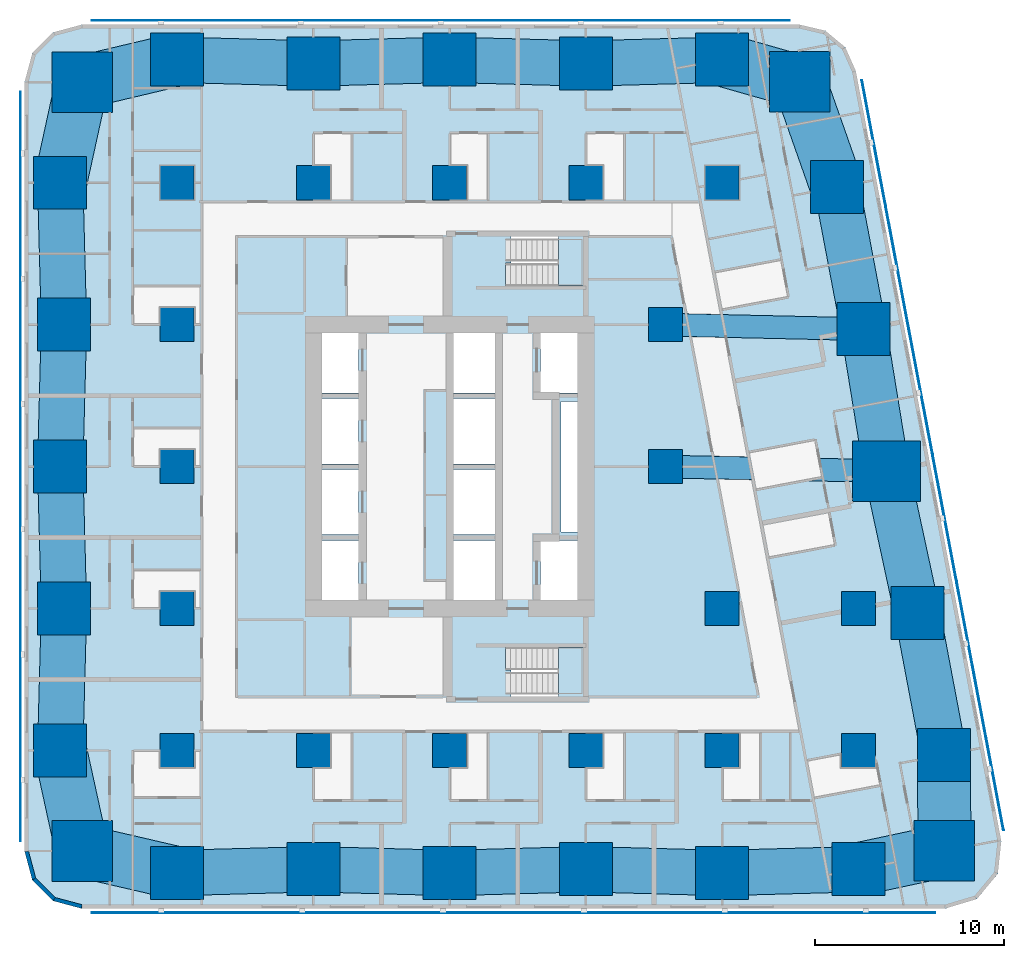
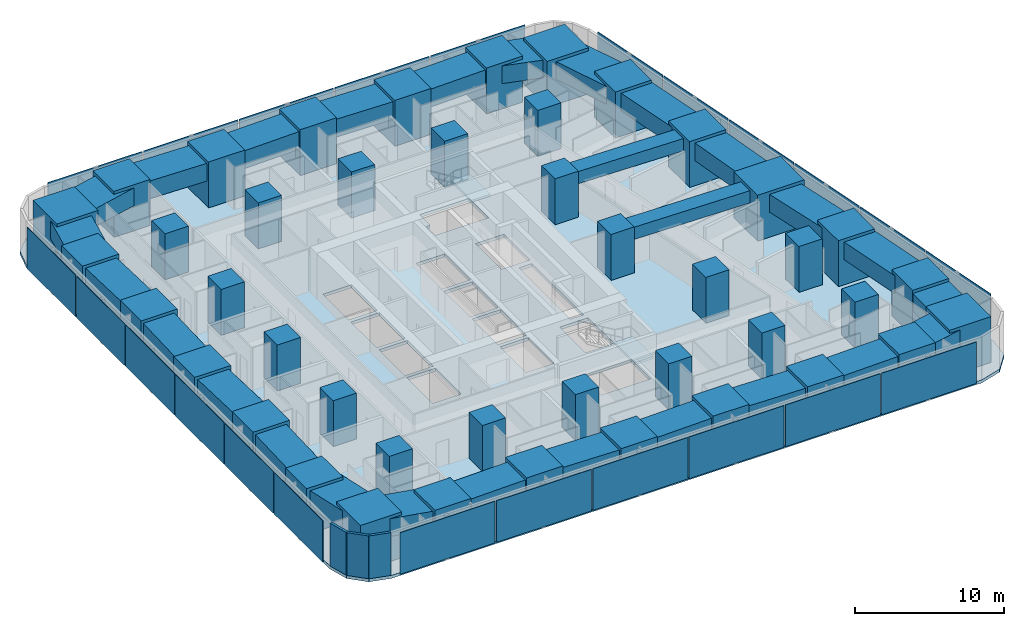
# One storey, part 1 of 15: 43 columns, 27 beams, 23 plates, 3 slabs, 3 walls, 2 elements without a shape of their own.
"""IFC4 building model written with IfcOpenShell, lengths in metres."""

import ifcopenshell
import ifcopenshell.guid

model = None  # the IFC model being written
_history = None  # IfcOwnerHistory: only IFC2X3 demands one
_inside = {}  # id of a spatial element -> (the spatial element, [elements in it])
_under = {}  # id of a project, library or spatial element -> (it, [spatial elements below it])
_declared = {}  # id of a project -> (the project, [libraries it declares])
_typed = {}  # id of a type object -> (the type object, [elements of that type])
_made_of = {}  # id of a material, layer set ... -> (it, [elements and type objects made of it])


def new_model(schema):
    """Start an empty IFC model of exactly this schema.

    Asked for "IFC4X3", IfcOpenShell would pick the latest addendum, in which some entities
    have other attributes; the version numbers below select the first issue.
    IFC2X3 requires an IfcOwnerHistory on every rooted entity: one is made here for all.
    """
    global model, _history
    if schema == "IFC4X3":
        model = ifcopenshell.file(schema_version=(4, 3, 0, 0))
    else:
        model = ifcopenshell.file(schema=schema)
    _inside.clear()
    _under.clear()
    _declared.clear()
    _typed.clear()
    _made_of.clear()
    _history = None
    if model.schema == "IFC2X3":
        org = make("IfcOrganization", Name="unknown")
        user = make(
            "IfcPersonAndOrganization",
            ThePerson=make("IfcPerson", FamilyName="unknown"),
            TheOrganization=org,
        )
        app = make(
            "IfcApplication",
            ApplicationDeveloper=org,
            Version="unknown",
            ApplicationFullName="unknown",
            ApplicationIdentifier="unknown",
        )
        _history = make(
            "IfcOwnerHistory",
            OwningUser=user,
            OwningApplication=app,
            ChangeAction="ADDED",
            CreationDate=0,
        )
    return model


def make(cls, **values):
    """One entity of the class cls with the attributes given. An attribute that is None is left unset."""
    return model.create_entity(
        cls, **{name: value for name, value in values.items() if value is not None}
    )


def rooted(cls, **values):
    """An entity with a GlobalId (a new one), such as an element, a storey or a relation."""
    return make(cls, GlobalId=ifcopenshell.guid.new(), OwnerHistory=_history, **values)


def si_unit(unit_type, name, prefix=None):
    """IfcSIUnit, for example si_unit("LENGTHUNIT", "METRE", prefix="MILLI")."""
    return make("IfcSIUnit", UnitType=unit_type, Prefix=prefix, Name=name)


def assignment(units):
    """IfcUnitAssignment: the units of a project."""
    return None if units is None else make("IfcUnitAssignment", Units=units)


def point(xyz):
    """IfcCartesianPoint."""
    return None if xyz is None else make("IfcCartesianPoint", Coordinates=xyz)


def direction(xyz):
    """IfcDirection."""
    return None if xyz is None else make("IfcDirection", DirectionRatios=xyz)


def frame(location, z_axis=None, x_axis=None):
    """IfcAxis2Placement3D, a coordinate frame: its origin and axes. An axis left out is left unset."""
    return make(
        "IfcAxis2Placement3D",
        Location=point(location),
        Axis=direction(z_axis),
        RefDirection=direction(x_axis),
    )


def frame_2d(location, x_axis=None):
    """IfcAxis2Placement2D, a coordinate frame in the plane: its origin and x axis."""
    return make(
        "IfcAxis2Placement2D", Location=point(location), RefDirection=direction(x_axis)
    )


def origin():
    """The frame at (0, 0, 0) with its axes left unset."""
    return frame((0.0, 0.0, 0.0))


def origin_2d():
    """The frame at (0, 0) in the plane with its x axis left unset."""
    return frame_2d((0.0, 0.0))


def place(relative_to, where):
    """IfcLocalPlacement: puts the frame where relative to a parent placement (None: the world)."""
    return make(
        "IfcLocalPlacement", PlacementRelTo=relative_to, RelativePlacement=where
    )


def context(
    kind, dimensions, precision=None, world=None, true_north=None, identifier=None
):
    """IfcGeometricRepresentationContext, for example the 3D "Model" context."""
    return make(
        "IfcGeometricRepresentationContext",
        ContextIdentifier=identifier,
        ContextType=kind,
        CoordinateSpaceDimension=dimensions,
        Precision=precision,
        WorldCoordinateSystem=world,
        TrueNorth=true_north,
    )


def subcontext(parent, identifier, kind, view, scale=None):
    """IfcGeometricRepresentationSubContext, for example "Body" below "Model"."""
    return make(
        "IfcGeometricRepresentationSubContext",
        ContextIdentifier=identifier,
        ContextType=kind,
        ParentContext=parent,
        TargetScale=scale,
        TargetView=view,
    )


def project(units=None, contexts=None):
    """IfcProject with its units and contexts."""
    return rooted(
        "IfcProject",
        Name="project",
        RepresentationContexts=contexts,
        UnitsInContext=assignment(units),
    )


def spatial(cls, under=None, at=None, **own):
    """A site, building, storey or space (cls), placed at a placement, below another one or the project."""
    s = rooted(cls, ObjectPlacement=at, **own)
    if under is not None:
        _under.setdefault(under.id(), (under, []))[1].append(s)
    return s


def polyline(points):
    """IfcPolyline through the points."""
    return make("IfcPolyline", Points=[point(p) for p in points])


def profile(cls, at=None, kind="AREA", **sizes):
    """A parametric profile (cls). Its sizes go by their IFC names, for example OverallWidth=200.0."""
    return make(cls, ProfileType=kind, Position=at, **sizes)


def rectangle(**sizes):
    """IfcRectangleProfileDef."""
    return profile("IfcRectangleProfileDef", **sizes)


def outline(outer, holes=None, kind="AREA"):
    """IfcArbitraryClosedProfileDef: a profile drawn as a closed curve; with holes, ...WithVoids."""
    if holes is None:
        return make("IfcArbitraryClosedProfileDef", ProfileType=kind, OuterCurve=outer)
    return make(
        "IfcArbitraryProfileDefWithVoids",
        ProfileType=kind,
        OuterCurve=outer,
        InnerCurves=holes,
    )


def extrude(swept, where, along, depth):
    """IfcExtrudedAreaSolid: the profile swept, set in the frame where, extruded along a direction by depth."""
    return make(
        "IfcExtrudedAreaSolid",
        SweptArea=swept,
        Position=where,
        ExtrudedDirection=direction(along),
        Depth=depth,
    )


def shape(context_of_items, identifier, shape_type, items):
    """IfcShapeRepresentation: the items that make up one representation, for example the "Body"."""
    return make(
        "IfcShapeRepresentation",
        ContextOfItems=context_of_items,
        RepresentationIdentifier=identifier,
        RepresentationType=shape_type,
        Items=items,
    )


def material(Name=None, Category=None):
    """IfcMaterial."""
    return make("IfcMaterial", Name=Name, Category=Category)


def layer(
    of_material, thickness, ventilated=None, Name=None, Category=None, Priority=None
):
    """IfcMaterialLayer: one layer of a wall or slab, of a material (None: an air gap)."""
    return make(
        "IfcMaterialLayer",
        Material=of_material,
        LayerThickness=thickness,
        IsVentilated=ventilated,
        Name=Name,
        Category=Category,
        Priority=Priority,
    )


def layer_set(layers, Name=None):
    """IfcMaterialLayerSet."""
    return make("IfcMaterialLayerSet", MaterialLayers=layers, LayerSetName=Name)


def material_profile(
    of_material, cross_section, Name=None, Category=None, Priority=None
):
    """IfcMaterialProfile: a cross section and its material."""
    return make(
        "IfcMaterialProfile",
        Name=Name,
        Material=of_material,
        Profile=cross_section,
        Priority=Priority,
        Category=Category,
    )


def profile_set(profiles, Name=None, composite=None):
    """IfcMaterialProfileSet."""
    return make(
        "IfcMaterialProfileSet",
        Name=Name,
        MaterialProfiles=profiles,
        CompositeProfile=composite,
    )


def made_of(thing, what):
    """Note that an element or type object is made of a material, layer set ...; save() writes the relation."""
    if what is not None:
        _made_of.setdefault(what.id(), (what, []))[1].append(thing)
    return thing


def type_object(cls, material=None, **own):
    """A type object (cls), such as IfcWallType, which elements share."""
    return made_of(rooted(cls, **own), material)


def element(
    cls,
    number,
    at=None,
    inside=None,
    cuts=None,
    type_object=None,
    material=None,
    context=None,
    identifier="Body",
    shape_type=None,
    held_by="IfcProductDefinitionShape",
    body=None,
    shapes=None,
    **own,
):
    """One element of the class cls, such as IfcWall. Its Tag is "e" and its number.

    at: its placement. inside: the storey or other place that contains it. cuts: it is an
    opening in that element (IfcRelVoidsElement). A single representation is given by context,
    identifier, shape_type and body (its items); several are given by shapes. held_by: the class
    of the entity that holds the representations. save() writes the other relations.
    """
    e = rooted(cls, Tag="e%d" % number, ObjectPlacement=at, **own)
    if body is not None:
        shapes = [shape(context, identifier, shape_type, body)]
    if shapes is not None:
        e.Representation = make(held_by, Representations=shapes)
    if inside is not None:
        _inside.setdefault(inside.id(), (inside, []))[1].append(e)
    if cuts is not None:
        rooted(
            "IfcRelVoidsElement", RelatingBuildingElement=cuts, RelatedOpeningElement=e
        )
    if type_object is not None:
        _typed.setdefault(type_object.id(), (type_object, []))[1].append(e)
    return made_of(e, material)


def aggregate(whole, parts):
    """IfcRelAggregates: a whole, such as a stair, and the parts it consists of."""
    return rooted("IfcRelAggregates", RelatingObject=whole, RelatedObjects=parts)


def save(model, path):
    """Write the relations noted so far, then the file.

    IfcRelAggregates (storeys below a building ...), IfcRelContainedInSpatialStructure (elements
    in a storey), IfcRelDefinesByType, IfcRelAssociatesMaterial and IfcRelDeclares: one each for
    every whole, place, type object, material and project.
    """
    for whole, parts in _under.values():
        aggregate(whole, parts)
    for where, things in _inside.values():
        rooted(
            "IfcRelContainedInSpatialStructure",
            RelatedElements=things,
            RelatingStructure=where,
        )
    for kind, things in _typed.values():
        rooted("IfcRelDefinesByType", RelatedObjects=things, RelatingType=kind)
    for what, things in _made_of.values():
        rooted("IfcRelAssociatesMaterial", RelatedObjects=things, RelatingMaterial=what)
    for by, libraries in _declared.values():
        rooted("IfcRelDeclares", RelatingContext=by, RelatedDefinitions=libraries)
    model.write(path)


model = new_model("IFC4")

# Units and contexts
model_context = context("Model", 3, precision=1e-05, world=origin(), true_north=direction((0.0, 1.0)))
body_context = subcontext(model_context, "Body", "Model", "MODEL_VIEW")
ifc_project = project(units=[si_unit("LENGTHUNIT", "METRE"), si_unit("AREAUNIT", "SQUARE_METRE"), si_unit("VOLUMEUNIT", "CUBIC_METRE"), si_unit("PLANEANGLEUNIT", "RADIAN"), si_unit("MASSUNIT", "GRAM", prefix="KILO")], contexts=[model_context])

# Site, building, storey
site_placement = place(None, origin())
site = spatial("IfcSite", under=ifc_project, at=site_placement, CompositionType="ELEMENT")
building_placement = place(site_placement, origin())
building = spatial("IfcBuilding", under=site, at=building_placement, Name="Sheger Commons Tower", CompositionType="ELEMENT")
storey_placement = place(building_placement, frame((0.0, 0.0, 65.0)))
storey = spatial("IfcBuildingStorey", under=building, at=storey_placement, Name="L16", CompositionType="ELEMENT", Elevation=65.0)

# Columns
ifc_material_1 = material(Name="Concrete C50/60", Category="concrete")
ifc_material_profile_1 = material_profile(ifc_material_1, rectangle(XDim=3.60009765625, YDim=3.199951171875, at=origin_2d()), Name="RC 3600x3200")
ifc_profile_set_1 = profile_set([ifc_material_profile_1], Name="Concrete C50/60")
column_type_1 = type_object("IfcColumnType", Name="COLUMN PIER RC 3600x3200", PredefinedType="COLUMN", material=ifc_profile_set_1)
column_placement = place(storey_placement, frame((44.697021484375, 22.262939453125, 0.0), z_axis=(0.0, 0.0, 1.0), x_axis=(1.0, 0.0, 0.0)))
element("IfcColumn", 1, at=column_placement, inside=storey, type_object=column_type_1, Name="Pier 7/D+E/D L16", PredefinedType="COLUMN", context=body_context, shape_type="SweptSolid", body=[
    extrude(rectangle(XDim=3.60009765625, YDim=3.199951171875, at=origin_2d()), origin(), (0.0, 0.0, 1.0), 3.75),
])
ifc_material_2 = material(Name="Concrete C50/60", Category="concrete")
ifc_material_profile_2 = material_profile(ifc_material_2, rectangle(XDim=1.800048828125, YDim=1.800048828125, at=origin_2d()), Name="RC 1800x1800")
ifc_profile_set_2 = profile_set([ifc_material_profile_2], Name="Concrete C50/60")
column_type_2 = type_object("IfcColumnType", Name="COLUMN RC 1800x1800", PredefinedType="COLUMN", material=ifc_profile_set_2)
for number, where, z_axis, x_axis, name in (
    (2, (7.199951171875, 7.5, 0.0), (0.0, 0.0, 1.0), (1.0, 0.0, 0.0), "Column 2/B L16"),
    (3, (14.39990234375, 7.5, 0.0), (0.0, 0.0, 1.0), (1.0, 0.0, 0.0), "Column 3/B L16"),
    (4, (21.60009765625, 7.5, 0.0), (0.0, 0.0, 1.0), (1.0, 0.0, 0.0), "Column 4/B L16"),
    (5, (28.800048828125, 7.5, 0.0), (0.0, 0.0, 1.0), (1.0, 0.0, 0.0), "Column 5/B L16"),
    (6, (36.0, 7.5, 0.0), (0.0, 0.0, 1.0), (1.0, 0.0, 0.0), "Column 6/B L16"),
    (7, (43.199951171875, 7.5, 0.0), (0.0, 0.0, 1.0), (1.0, 0.0, 0.0), "Column 7/B L16"),
    (8, (7.199951171875, 15.0, 0.0), (0.0, 0.0, 1.0), (1.0, 0.0, 0.0), "Column 2/C L16"),
    (9, (36.0, 15.0, 0.0), (0.0, 0.0, 1.0), (1.0, 0.0, 0.0), "Column 6/C L16"),
    (10, (43.199951171875, 15.0, 0.0), (0.0, 0.0, 1.0), (1.0, 0.0, 0.0), "Column 7/C L16"),
    (11, (7.199951171875, 22.5, 0.0), (0.0, 0.0, 1.0), (1.0, 0.0, 0.0), "Column 2/D L16"),
    (12, (33.0, 22.5, 0.0), (0.0, 0.0, 1.0), (1.0, 0.0, 0.0), "Column 6-3000/D L16"),
    (13, (7.199951171875, 30.0, 0.0), (0.0, 0.0, 1.0), (1.0, 0.0, 0.0), "Column 2/E L16"),
    (14, (33.0, 30.0, 0.0), (0.0, 0.0, 1.0), (1.0, 0.0, 0.0), "Column 6-3000/E L16"),
    (15, (7.199951171875, 37.5, 0.0), (0.0, 0.0, 1.0), (1.0, 0.0, 0.0), "Column 2/F L16"),
    (16, (14.39990234375, 37.5, 0.0), (0.0, 0.0, 1.0), (1.0, 0.0, 0.0), "Column 3/F L16"),
    (17, (21.60009765625, 37.5, 0.0), (0.0, 0.0, 1.0), (1.0, 0.0, 0.0), "Column 4/F L16"),
    (18, (28.800048828125, 37.5, 0.0), (0.0, 0.0, 1.0), (1.0, 0.0, 0.0), "Column 5/F L16"),
    (19, (36.0, 37.5, 0.0), (0.0, 0.0, 1.0), (1.0, 0.0, 0.0), "Column 6/F L16"),
):
    element("IfcColumn", number, at=place(storey_placement, frame(where, z_axis=z_axis, x_axis=x_axis)), inside=storey, type_object=column_type_2, Name=name, PredefinedType="COLUMN", context=body_context, shape_type="SweptSolid", body=[
        extrude(rectangle(XDim=1.800048828125, YDim=1.800048828125, at=origin_2d()), origin(), (0.0, 0.0, 1.0), 3.75),
    ])
ifc_material_3 = material(Name="Concrete C50/60", Category="concrete")
ifc_material_profile_3 = material_profile(ifc_material_3, rectangle(XDim=2.800048828125, YDim=2.800048828125, at=origin_2d()), Name="RC 2800x2800")
ifc_profile_set_3 = profile_set([ifc_material_profile_3], Name="Concrete C50/60")
column_type_3 = type_object("IfcColumnType", Name="COLUMN RC 2800x2800", PredefinedType="COLUMN", material=ifc_profile_set_3)
for number, where, z_axis, x_axis, name in (
    (20, (7.199951171875, 1.02490234375, 0.0), (0.0, 0.0, 1.0), (1.0, 0.0, 0.0), "Column 2/A L16"),
    (21, (14.39990234375, 1.22509765625, 0.0), (0.0, 0.0, 1.0), (1.0, 0.0, 0.0), "Column 3/A L16"),
    (22, (21.60009765625, 1.02490234375, 0.0), (0.0, 0.0, 1.0), (1.0, 0.0, 0.0), "Column 4/A L16"),
    (23, (28.800048828125, 1.22509765625, 0.0), (0.0, 0.0, 1.0), (1.0, 0.0, 0.0), "Column 5/A L16"),
    (24, (36.0, 1.02490234375, 0.0), (0.0, 0.0, 1.0), (1.0, 0.0, 0.0), "Column 6/A L16"),
    (25, (43.199951171875, 1.22509765625, 0.0), (0.0, 0.0, 1.0), (1.0, 0.0, 0.0), "Column 7/A L16"),
    (26, (1.02490234375, 7.5, 0.0), (0.0, 0.0, 1.0), (1.0, 0.0, 0.0), "Column 1/B L16"),
    (27, (47.72998046875, 7.262939453125, 0.0), (0.0, 0.0, 1.0), (1.0, 0.0, 0.0), "Column E/B L16"),
    (28, (1.22509765625, 15.0, 0.0), (0.0, 0.0, 1.0), (1.0, 0.0, 0.0), "Column 1/C L16"),
    (29, (46.31396484375, 14.762939453125, 0.0), (0.0, 0.0, 1.0), (1.0, 0.0, 0.0), "Column E/C L16"),
    (30, (1.02490234375, 22.5, 0.0), (0.0, 0.0, 1.0), (1.0, 0.0, 0.0), "Column 1/D L16"),
    (31, (1.22509765625, 30.0, 0.0), (0.0, 0.0, 1.0), (1.0, 0.0, 0.0), "Column 1/E L16"),
    (32, (43.47998046875, 29.762939453125, 0.0), (0.0, 0.0, 1.0), (1.0, 0.0, 0.0), "Column E/E L16"),
    (33, (1.02490234375, 37.5, 0.0), (0.0, 0.0, 1.0), (1.0, 0.0, 0.0), "Column 1/F L16"),
    (34, (42.06396484375, 37.262939453125, 0.0), (0.0, 0.0, 1.0), (1.0, 0.0, 0.0), "Column E/F L16"),
    (35, (7.199951171875, 44.0, 0.0), (0.0, 0.0, 1.0), (1.0, 0.0, 0.0), "Column 2/G L16"),
    (36, (14.39990234375, 43.800048828125, 0.0), (0.0, 0.0, 1.0), (1.0, 0.0, 0.0), "Column 3/G L16"),
    (37, (21.60009765625, 44.0, 0.0), (0.0, 0.0, 1.0), (1.0, 0.0, 0.0), "Column 4/G L16"),
    (38, (28.800048828125, 43.800048828125, 0.0), (0.0, 0.0, 1.0), (1.0, 0.0, 0.0), "Column 5/G L16"),
    (39, (36.0, 44.0, 0.0), (0.0, 0.0, 1.0), (1.0, 0.0, 0.0), "Column 6/G L16"),
):
    element("IfcColumn", number, at=place(storey_placement, frame(where, z_axis=z_axis, x_axis=x_axis)), inside=storey, type_object=column_type_3, Name=name, PredefinedType="COLUMN", context=body_context, shape_type="SweptSolid", body=[
        extrude(rectangle(XDim=2.800048828125, YDim=2.800048828125, at=origin_2d()), origin(), (0.0, 0.0, 1.0), 3.75),
    ])
ifc_material_4 = material(Name="Concrete C50/60", Category="concrete")
ifc_material_profile_4 = material_profile(ifc_material_4, rectangle(XDim=3.199951171875, YDim=3.199951171875, at=origin_2d()), Name="RC 3200x3200")
ifc_profile_set_4 = profile_set([ifc_material_profile_4], Name="Concrete C50/60")
column_type_4 = type_object("IfcColumnType", Name="COLUMN RC 3200x3200", PredefinedType="COLUMN", material=ifc_profile_set_4)
for number, where, z_axis, x_axis, name in (
    (40, (2.18603515625, 2.18603515625, 0.0), (0.0, 0.0, 1.0), (1.0, 0.0, 0.0), "Column 0.630,0.630 L16"),
    (41, (47.748046875, 2.197021484375, 0.0), (0.0, 0.0, 1.0), (1.0, 0.0, 0.0), "Column 49.461,0.778 L16"),
    (42, (2.18603515625, 42.81396484375, 0.0), (0.0, 0.0, 1.0), (1.0, 0.0, 0.0), "Column 0.630,44.370 L16"),
    (43, (40.10205078125, 42.830078125, 0.0), (0.0, 0.0, 1.0), (1.0, 0.0, 0.0), "Column 41.490,44.505 L16"),
):
    element("IfcColumn", number, at=place(storey_placement, frame(where, z_axis=z_axis, x_axis=x_axis)), inside=storey, type_object=column_type_4, Name=name, PredefinedType="COLUMN", context=body_context, shape_type="SweptSolid", body=[
        extrude(rectangle(XDim=3.199951171875, YDim=3.199951171875, at=origin_2d()), origin(), (0.0, 0.0, 1.0), 3.75),
    ])

# Beams
ifc_material_5 = material(Name="Concrete C50/60", Category="concrete")
ifc_material_profile_5 = material_profile(ifc_material_5, rectangle(XDim=1.199951171875, YDim=1.0, at=origin_2d()), Name="RC 1200x1000")
ifc_profile_set_5 = profile_set([ifc_material_profile_5], Name="Concrete C50/60")
beam_type_1 = type_object("IfcBeamType", Name="BEAM RC 1200x1000", PredefinedType="BEAM", material=ifc_profile_set_5)
beam_1_placement = place(storey_placement, frame((33.0, 22.5, 3.0), z_axis=(0.999794692776, -0.02026258368, 0.0), x_axis=(0.02026258368, 0.999794692776, 0.0)))
element("IfcBeam", 44, at=beam_1_placement, inside=storey, type_object=beam_type_1, Name="Beam 6-3000/D-7/D under L17", PredefinedType="BEAM", context=body_context, shape_type="SweptSolid", body=[
    extrude(rectangle(XDim=1.199951171875, YDim=1.0, at=origin_2d()), origin(), (0.0, 0.0, 1.0), 11.699462890625),
])
beam_2_placement = place(storey_placement, frame((33.0, 30.0, 3.0), z_axis=(0.999744258625, -0.022614538395, 0.0), x_axis=(0.022614538395, 0.999744258625, 0.0)))
element("IfcBeam", 45, at=beam_2_placement, inside=storey, type_object=beam_type_1, Name="Beam 6-3000/E-E/E under L17", PredefinedType="BEAM", context=body_context, shape_type="SweptSolid", body=[
    extrude(rectangle(XDim=1.199951171875, YDim=1.0, at=origin_2d()), origin(), (0.0, 0.0, 1.0), 10.482666015625),
])
ifc_material_6 = material(Name="Concrete C50/60", Category="concrete")
ifc_material_profile_6 = material_profile(ifc_material_6, rectangle(XDim=2.39990234375, YDim=1.449951171875, at=origin_2d()), Name="RC 2400x1450")
ifc_profile_set_6 = profile_set([ifc_material_profile_6], Name="Concrete C50/60")
beam_type_2 = type_object("IfcBeamType", Name="SPANDREL RC 2400x1450", PredefinedType="SPANDREL", material=ifc_profile_set_6)
beam_3_placement = place(storey_placement, frame((7.199951171875, 1.02490234375, 2.77490234375), z_axis=(0.9996136624, 0.027794350926, 0.0), x_axis=(-0.027794350926, 0.9996136624, 0.0)))
element("IfcBeam", 46, at=beam_3_placement, inside=storey, type_object=beam_type_2, Name="Beam 2/A-3/A under L17", PredefinedType="SPANDREL", context=body_context, shape_type="SweptSolid", body=[
    extrude(rectangle(XDim=2.39990234375, YDim=1.449951171875, at=origin_2d()), origin(), (0.0, 0.0, 1.0), 7.20263671875),
])
beam_4_placement = place(storey_placement, frame((14.39990234375, 1.22509765625, 2.77490234375), z_axis=(0.999613688584, -0.027793409217, 0.0), x_axis=(0.027793409217, 0.999613688584, 0.0)))
element("IfcBeam", 47, at=beam_4_placement, inside=storey, type_object=beam_type_2, Name="Beam 3/A-4/A under L17", PredefinedType="SPANDREL", context=body_context, shape_type="SweptSolid", body=[
    extrude(rectangle(XDim=2.39990234375, YDim=1.449951171875, at=origin_2d()), origin(), (0.0, 0.0, 1.0), 7.202880859375),
])
for number, where, z_axis, x_axis, name in (
    (48, (21.60009765625, 1.02490234375, 2.77490234375), (0.9996136624, 0.027794350926, 0.0), (-0.027794350926, 0.9996136624, 0.0), "Beam 4/A-5/A under L17"),
    (49, (28.800048828125, 1.22509765625, 2.77490234375), (0.9996136624, -0.027794350926, 0.0), (0.027794350926, 0.9996136624, 0.0), "Beam 5/A-6/A under L17"),
    (50, (36.0, 1.02490234375, 2.77490234375), (0.9996136624, 0.027794350926, 0.0), (-0.027794350926, 0.9996136624, 0.0), "Beam 6/A-7/A under L17"),
):
    element("IfcBeam", number, at=place(storey_placement, frame(where, z_axis=z_axis, x_axis=x_axis)), inside=storey, type_object=beam_type_2, Name=name, PredefinedType="SPANDREL", context=body_context, shape_type="SweptSolid", body=[
        extrude(rectangle(XDim=2.39990234375, YDim=1.449951171875, at=origin_2d()), origin(), (0.0, 0.0, 1.0), 7.20263671875),
    ])
beam_5_placement = place(storey_placement, frame((47.72998046875, 7.262939453125, 2.77490234375), z_axis=(-0.18552441405, 0.982639655108, 0.0), x_axis=(-0.982639655108, -0.18552441405, 0.0)))
element("IfcBeam", 51, at=beam_5_placement, inside=storey, type_object=beam_type_2, Name="Beam E/B-E/C under L17", PredefinedType="SPANDREL", context=body_context, shape_type="SweptSolid", body=[
    extrude(rectangle(XDim=2.39990234375, YDim=1.449951171875, at=origin_2d()), origin(), (0.0, 0.0, 1.0), 7.632568359375),
])
beam_6_placement = place(storey_placement, frame((46.31396484375, 14.762939453125, 2.77490234375), z_axis=(-0.210750229323, 0.977539943348, 0.0), x_axis=(-0.977539943348, -0.210750229323, 0.0)))
element("IfcBeam", 52, at=beam_6_placement, inside=storey, type_object=beam_type_2, Name="Beam E/C-E/D under L17", PredefinedType="SPANDREL", context=body_context, shape_type="SweptSolid", body=[
    extrude(rectangle(XDim=2.39990234375, YDim=1.449951171875, at=origin_2d()), origin(), (0.0, 0.0, 1.0), 7.67236328125),
])
beam_7_placement = place(storey_placement, frame((44.697021484375, 22.262939453125, 2.77490234375), z_axis=(-0.160176929512, 0.987088319884, 0.0), x_axis=(-0.987088319884, -0.160176929512, 0.0)))
element("IfcBeam", 53, at=beam_7_placement, inside=storey, type_object=beam_type_2, Name="Beam E/D-E/E under L17", PredefinedType="SPANDREL", context=body_context, shape_type="SweptSolid", body=[
    extrude(rectangle(XDim=2.39990234375, YDim=1.449951171875, at=origin_2d()), origin(), (0.0, 0.0, 1.0), 7.59814453125),
])
beam_8_placement = place(storey_placement, frame((43.47998046875, 29.762939453125, 2.77490234375), z_axis=(-0.18552441405, 0.982639655108, 0.0), x_axis=(-0.982639655108, -0.18552441405, 0.0)))
element("IfcBeam", 54, at=beam_8_placement, inside=storey, type_object=beam_type_2, Name="Beam E/E-E/F under L17", PredefinedType="SPANDREL", context=body_context, shape_type="SweptSolid", body=[
    extrude(rectangle(XDim=2.39990234375, YDim=1.449951171875, at=origin_2d()), origin(), (0.0, 0.0, 1.0), 7.632568359375),
])
for number, where, z_axis, x_axis, name in (
    (55, (36.0, 44.0, 2.77490234375), (-0.999614603568, -0.027760481514, 0.0), (0.027760481514, -0.999614603568, 0.0), "Beam 6/G-5/G under L17"),
    (56, (28.800048828125, 43.800048828125, 2.77490234375), (-0.999614603568, 0.027760481514, 0.0), (-0.027760481514, -0.999614603568, 0.0), "Beam 5/G-4/G under L17"),
):
    element("IfcBeam", number, at=place(storey_placement, frame(where, z_axis=z_axis, x_axis=x_axis)), inside=storey, type_object=beam_type_2, Name=name, PredefinedType="SPANDREL", context=body_context, shape_type="SweptSolid", body=[
        extrude(rectangle(XDim=2.39990234375, YDim=1.449951171875, at=origin_2d()), origin(), (0.0, 0.0, 1.0), 7.20263671875),
    ])
beam_9_placement = place(storey_placement, frame((21.60009765625, 44.0, 2.77490234375), z_axis=(-0.999614629688, -0.027759540951, 0.0), x_axis=(0.027759540951, -0.999614629688, 0.0)))
element("IfcBeam", 57, at=beam_9_placement, inside=storey, type_object=beam_type_2, Name="Beam 4/G-3/G under L17", PredefinedType="SPANDREL", context=body_context, shape_type="SweptSolid", body=[
    extrude(rectangle(XDim=2.39990234375, YDim=1.449951171875, at=origin_2d()), origin(), (0.0, 0.0, 1.0), 7.202880859375),
])
beam_10_placement = place(storey_placement, frame((14.39990234375, 43.800048828125, 2.77490234375), z_axis=(-0.999614603568, 0.027760481514, 0.0), x_axis=(-0.027760481514, -0.999614603568, 0.0)))
element("IfcBeam", 58, at=beam_10_placement, inside=storey, type_object=beam_type_2, Name="Beam 3/G-2/G under L17", PredefinedType="SPANDREL", context=body_context, shape_type="SweptSolid", body=[
    extrude(rectangle(XDim=2.39990234375, YDim=1.449951171875, at=origin_2d()), origin(), (0.0, 0.0, 1.0), 7.20263671875),
])
for number, where, z_axis, x_axis, name in (
    (59, (1.02490234375, 37.5, 2.77490234375), (0.026683204125, -0.999643939919, 0.0), (0.999643939919, 0.026683204125, 0.0), "Beam 1/F-1/E under L17"),
    (60, (1.22509765625, 30.0, 2.77490234375), (-0.026683204125, -0.999643939919, 0.0), (0.999643939919, -0.026683204125, 0.0), "Beam 1/E-1/D under L17"),
    (61, (1.02490234375, 22.5, 2.77490234375), (0.026683204125, -0.999643939919, 0.0), (0.999643939919, 0.026683204125, 0.0), "Beam 1/D-1/C under L17"),
    (62, (1.22509765625, 15.0, 2.77490234375), (-0.026683204125, -0.999643939919, 0.0), (0.999643939919, -0.026683204125, 0.0), "Beam 1/C-1/B under L17"),
):
    element("IfcBeam", number, at=place(storey_placement, frame(where, z_axis=z_axis, x_axis=x_axis)), inside=storey, type_object=beam_type_2, Name=name, PredefinedType="SPANDREL", context=body_context, shape_type="SweptSolid", body=[
        extrude(rectangle(XDim=2.39990234375, YDim=1.449951171875, at=origin_2d()), origin(), (0.0, 0.0, 1.0), 7.502685546875),
    ])
ifc_material_7 = material(Name="Concrete C50/60", Category="concrete")
ifc_material_profile_7 = material_profile(ifc_material_7, rectangle(XDim=2.800048828125, YDim=1.449951171875, at=origin_2d()), Name="RC 2800x1450")
ifc_profile_set_7 = profile_set([ifc_material_profile_7], Name="Concrete C50/60")
beam_type_3 = type_object("IfcBeamType", Name="SPANDREL RC 2800x1450", PredefinedType="SPANDREL", material=ifc_profile_set_7)
beam_11_placement = place(storey_placement, frame((2.18603515625, 2.18603515625, 2.77490234375), z_axis=(0.974217413499, -0.225611239159, 0.0), x_axis=(0.225611239159, 0.974217413499, 0.0)))
element("IfcBeam", 63, at=beam_11_placement, inside=storey, type_object=beam_type_3, Name="Beam 0.630,0.630-2/A under L17", PredefinedType="SPANDREL", context=body_context, shape_type="SweptSolid", body=[
    extrude(rectangle(XDim=2.800048828125, YDim=1.449951171875, at=origin_2d()), origin(), (0.0, 0.0, 1.0), 5.146728515625),
])
beam_12_placement = place(storey_placement, frame((43.199951171875, 1.22509765625, 2.77490234375), z_axis=(0.977919796671, 0.208980552394, 0.0), x_axis=(-0.208980552394, 0.977919796671, 0.0)))
element("IfcBeam", 64, at=beam_12_placement, inside=storey, type_object=beam_type_3, Name="Beam 7/A-49.461,0.778 under L17", PredefinedType="SPANDREL", context=body_context, shape_type="SweptSolid", body=[
    extrude(rectangle(XDim=2.800048828125, YDim=1.449951171875, at=origin_2d()), origin(), (0.0, 0.0, 1.0), 4.65087890625),
])
beam_13_placement = place(storey_placement, frame((47.748046875, 2.197021484375, 2.77490234375), z_axis=(-0.003566242382, 0.999993640937, 0.0), x_axis=(-0.999993640937, -0.003566242382, 0.0)))
element("IfcBeam", 65, at=beam_13_placement, inside=storey, type_object=beam_type_3, Name="Beam 49.461,0.778-E/B under L17", PredefinedType="SPANDREL", context=body_context, shape_type="SweptSolid", body=[
    extrude(rectangle(XDim=2.800048828125, YDim=1.449951171875, at=origin_2d()), origin(), (0.0, 0.0, 1.0), 5.06591796875),
])
beam_14_placement = place(storey_placement, frame((42.06396484375, 37.262939453125, 2.77490234375), z_axis=(-0.332374403357, 0.943147526102, 0.0), x_axis=(-0.943147526102, -0.332374403357, 0.0)))
element("IfcBeam", 66, at=beam_14_placement, inside=storey, type_object=beam_type_3, Name="Beam E/F-41.490,44.505 under L17", PredefinedType="SPANDREL", context=body_context, shape_type="SweptSolid", body=[
    extrude(rectangle(XDim=2.800048828125, YDim=1.449951171875, at=origin_2d()), origin(), (0.0, 0.0, 1.0), 5.90283203125),
])
beam_15_placement = place(storey_placement, frame((40.10205078125, 42.830078125, 2.77490234375), z_axis=(-0.961653428129, 0.274267541221, 0.0), x_axis=(-0.274267541221, -0.961653428129, 0.0)))
element("IfcBeam", 67, at=beam_15_placement, inside=storey, type_object=beam_type_3, Name="Beam 41.490,44.505-6/G under L17", PredefinedType="SPANDREL", context=body_context, shape_type="SweptSolid", body=[
    extrude(rectangle(XDim=2.800048828125, YDim=1.449951171875, at=origin_2d()), origin(), (0.0, 0.0, 1.0), 4.265625),
])
beam_16_placement = place(storey_placement, frame((7.199951171875, 44.0, 2.77490234375), z_axis=(-0.97314428949, -0.230195985701, 0.0), x_axis=(0.230195985701, -0.97314428949, 0.0)))
element("IfcBeam", 68, at=beam_16_placement, inside=storey, type_object=beam_type_3, Name="Beam 2/G-0.630,44.370 under L17", PredefinedType="SPANDREL", context=body_context, shape_type="SweptSolid", body=[
    extrude(rectangle(XDim=2.800048828125, YDim=1.449951171875, at=origin_2d()), origin(), (0.0, 0.0, 1.0), 5.15234375),
])
for number, where, z_axis, x_axis, name in (
    (69, (2.18603515625, 42.81396484375, 2.77490234375), (-0.213469314652, -0.976949769283, 0.0), (0.976949769283, -0.213469314652, 0.0), "Beam 0.630,44.370-1/F under L17"),
    (70, (1.02490234375, 7.5, 2.77490234375), (0.213469314652, -0.976949769283, 0.0), (0.976949769283, 0.213469314652, 0.0), "Beam 1/B-0.630,0.630 under L17"),
):
    element("IfcBeam", number, at=place(storey_placement, frame(where, z_axis=z_axis, x_axis=x_axis)), inside=storey, type_object=beam_type_3, Name=name, PredefinedType="SPANDREL", context=body_context, shape_type="SweptSolid", body=[
        extrude(rectangle(XDim=2.800048828125, YDim=1.449951171875, at=origin_2d()), origin(), (0.0, 0.0, 1.0), 5.439453125),
    ])

# Slab
ifc_material_8 = material(Name="Concrete C35/45", Category="concrete")
ifc_layer_1 = layer(ifc_material_8, 0.25)
ifc_layer_set_1 = layer_set([ifc_layer_1], Name="SLAB FLOOR 250")
slab_type_1 = type_object("IfcSlabType", Name="SLAB FLOOR 250", PredefinedType="FLOOR", material=ifc_layer_set_1)
slab_1_placement = place(storey_placement, frame((0.0, 0.0, -0.25)))
element("IfcSlab", 71, at=slab_1_placement, inside=storey, type_object=slab_type_1, Name="L16 floor slab", PredefinedType="FLOOR", context=body_context, shape_type="SweptSolid", body=[
    extrude(outline(polyline([(-0.85009765625, 2.14990234375), (-0.447998046875, 0.64990234375), (0.64990234375, -0.447998046875), (2.14990234375, -0.85009765625), (47.805908203125, -0.85009765625), (49.465087890625, -0.35009765625), (50.570068359375, 0.98388671875), (50.75390625, 2.70703125), (43.06591796875, 43.406982421875), (42.509033203125, 44.660888671875), (41.452880859375, 45.535888671875), (40.117919921875, 45.85009765625), (2.14990234375, 45.85009765625), (0.64990234375, 45.447998046875), (-0.447998046875, 44.35009765625), (-0.85009765625, 42.85009765625), (-0.85009765625, 2.14990234375)]), holes=[polyline([(24.85009765625, 10.35009765625), (28.64990234375, 10.35009765625), (28.64990234375, 12.949951171875), (24.551025390625, 12.949951171875), (24.551025390625, 11.75), (24.85009765625, 11.75), (24.85009765625, 10.35009765625)]), polyline([(24.551025390625, 32.050048828125), (28.64990234375, 32.050048828125), (28.64990234375, 34.64990234375), (24.85009765625, 34.64990234375), (24.85009765625, 33.25), (24.551025390625, 33.25), (24.551025390625, 32.050048828125)]), polyline([(26.39990234375, 15.14990234375), (28.60009765625, 15.14990234375), (28.60009765625, 18.60009765625), (26.39990234375, 18.60009765625), (26.39990234375, 15.14990234375)]), polyline([(26.39990234375, 26.39990234375), (28.60009765625, 26.39990234375), (28.60009765625, 29.85009765625), (26.39990234375, 29.85009765625), (26.39990234375, 26.39990234375)]), polyline([(14.60009765625, 15.14990234375), (16.800048828125, 15.14990234375), (16.800048828125, 18.60009765625), (14.60009765625, 18.60009765625), (14.60009765625, 15.14990234375)]), polyline([(14.60009765625, 18.89990234375), (16.800048828125, 18.89990234375), (16.800048828125, 22.35009765625), (14.60009765625, 22.35009765625), (14.60009765625, 18.89990234375)]), polyline([(14.60009765625, 22.64990234375), (16.800048828125, 22.64990234375), (16.800048828125, 26.10009765625), (14.60009765625, 26.10009765625), (14.60009765625, 22.64990234375)]), polyline([(14.60009765625, 26.39990234375), (16.800048828125, 26.39990234375), (16.800048828125, 29.85009765625), (14.60009765625, 29.85009765625), (14.60009765625, 26.39990234375)]), polyline([(21.800048828125, 15.14990234375), (24.0, 15.14990234375), (24.0, 18.60009765625), (21.800048828125, 18.60009765625), (21.800048828125, 15.14990234375)]), polyline([(21.800048828125, 18.89990234375), (24.0, 18.89990234375), (24.0, 22.35009765625), (21.800048828125, 22.35009765625), (21.800048828125, 18.89990234375)]), polyline([(21.800048828125, 22.64990234375), (24.0, 22.64990234375), (24.0, 26.10009765625), (21.800048828125, 26.10009765625), (21.800048828125, 22.64990234375)]), polyline([(21.800048828125, 26.39990234375), (24.0, 26.39990234375), (24.0, 29.85009765625), (21.800048828125, 29.85009765625), (21.800048828125, 26.39990234375)]), polyline([(27.5, 19.050048828125), (28.5, 19.050048828125), (28.5, 25.949951171875), (27.5, 25.949951171875), (27.5, 19.050048828125)])]), origin(), (0.0, 0.0, 1.0), 0.25),
])

# Plates
ifc_material_9 = material(Name="Perforated black anodised aluminium screen", Category="aluminium")
ifc_layer_2 = layer(ifc_material_9, 0.050048828125)
ifc_layer_set_2 = layer_set([ifc_layer_2], Name="SOLAR SCREEN SCREEN-1")
plate_type = type_object("IfcPlateType", Name="SOLAR SCREEN SCREEN-1", PredefinedType="USERDEFINED", material=ifc_layer_set_2)
for number, where, z_axis, x_axis, name in (
    (72, (6.37109375, -1.074951171875, 0.050048828125), (0.0, 0.0, 1.0), (1.0, 0.0, 0.0), "Perforated solar screen panel"),
    (73, (13.81396484375, -1.074951171875, 0.050048828125), (0.0, 0.0, 1.0), (1.0, 0.0, 0.0), "Perforated solar screen panel"),
    (74, (21.257080078125, -1.074951171875, 0.050048828125), (0.0, 0.0, 1.0), (1.0, 0.0, 0.0), "Perforated solar screen panel"),
    (75, (28.698974609375, -1.074951171875, 0.050048828125), (0.0, 0.0, 1.0), (1.0, 0.0, 0.0), "Perforated solar screen panel"),
    (76, (36.14208984375, -1.074951171875, 0.050048828125), (0.0, 0.0, 1.0), (1.0, 0.0, 0.0), "Perforated solar screen panel"),
    (77, (43.5849609375, -1.074951171875, 0.050048828125), (0.0, 0.0, 1.0), (1.0, 0.0, 0.0), "Perforated solar screen panel"),
):
    element("IfcPlate", number, at=place(storey_placement, frame(where, z_axis=z_axis, x_axis=x_axis)), inside=storey, type_object=plate_type, Name=name, ObjectType="SCREEN", PredefinedType="USERDEFINED", context=body_context, shape_type="SweptSolid", body=[
        extrude(rectangle(XDim=7.343017578125, YDim=0.050048828125, at=origin_2d()), origin(), (0.0, 0.0, 1.0), 3.39990234375),
    ])
for number, where, z_axis, x_axis, name in (
    (78, (50.257080078125, 6.550048828125, 0.050048828125), (0.0, 0.0, 1.0), (-0.185615165645, 0.982622516678, 0.0), "Perforated solar screen panel"),
    (79, (49.007080078125, 13.1689453125, 0.050048828125), (0.0, 0.0, 1.0), (-0.185615165645, 0.982622516678, 0.0), "Perforated solar screen panel"),
    (80, (47.756103515625, 19.7890625, 0.050048828125), (0.0, 0.0, 1.0), (-0.185615165645, 0.982622516678, 0.0), "Perforated solar screen panel"),
    (81, (46.506103515625, 26.408935546875, 0.050048828125), (0.0, 0.0, 1.0), (-0.185615165645, 0.982622516678, 0.0), "Perforated solar screen panel"),
    (82, (45.2548828125, 33.028076171875, 0.050048828125), (0.0, 0.0, 1.0), (-0.185615165645, 0.982622516678, 0.0), "Perforated solar screen panel"),
    (83, (44.0048828125, 39.64794921875, 0.050048828125), (0.0, 0.0, 1.0), (-0.185615165645, 0.982622516678, 0.0), "Perforated solar screen panel"),
):
    element("IfcPlate", number, at=place(storey_placement, frame(where, z_axis=z_axis, x_axis=x_axis)), inside=storey, type_object=plate_type, Name=name, ObjectType="SCREEN", PredefinedType="USERDEFINED", context=body_context, shape_type="SweptSolid", body=[
        extrude(rectangle(XDim=6.636962890625, YDim=0.050048828125, at=origin_2d()), origin(), (0.0, 0.0, 1.0), 3.39990234375),
    ])
for number, where, z_axis, x_axis, name in (
    (84, (35.9208984375, 46.074951171875, 0.050048828125), (0.0, 0.0, 1.0), (-1.0, 0.0, 0.0), "Perforated solar screen panel"),
    (85, (28.528076171875, 46.074951171875, 0.050048828125), (0.0, 0.0, 1.0), (-1.0, 0.0, 0.0), "Perforated solar screen panel"),
    (86, (21.134033203125, 46.074951171875, 0.050048828125), (0.0, 0.0, 1.0), (-1.0, 0.0, 0.0), "Perforated solar screen panel"),
    (87, (13.739990234375, 46.074951171875, 0.050048828125), (0.0, 0.0, 1.0), (-1.0, 0.0, 0.0), "Perforated solar screen panel"),
    (88, (6.346923828125, 46.074951171875, 0.050048828125), (0.0, 0.0, 1.0), (-1.0, 0.0, 0.0), "Perforated solar screen panel"),
):
    element("IfcPlate", number, at=place(storey_placement, frame(where, z_axis=z_axis, x_axis=x_axis)), inside=storey, type_object=plate_type, Name=name, ObjectType="SCREEN", PredefinedType="USERDEFINED", context=body_context, shape_type="SweptSolid", body=[
        extrude(rectangle(XDim=7.2939453125, YDim=0.050048828125, at=origin_2d()), origin(), (0.0, 0.0, 1.0), 3.39990234375),
    ])
for number, where, z_axis, x_axis, name in (
    (89, (-1.074951171875, 39.0419921875, 0.050048828125), (0.0, 0.0, 1.0), (0.0, -1.0, 0.0), "Perforated solar screen panel"),
    (90, (-1.074951171875, 32.425048828125, 0.050048828125), (0.0, 0.0, 1.0), (0.0, -1.0, 0.0), "Perforated solar screen panel"),
    (91, (-1.074951171875, 25.80810546875, 0.050048828125), (0.0, 0.0, 1.0), (0.0, -1.0, 0.0), "Perforated solar screen panel"),
    (92, (-1.074951171875, 19.19189453125, 0.050048828125), (0.0, 0.0, 1.0), (0.0, -1.0, 0.0), "Perforated solar screen panel"),
    (93, (-1.074951171875, 12.574951171875, 0.050048828125), (0.0, 0.0, 1.0), (0.0, -1.0, 0.0), "Perforated solar screen panel"),
    (94, (-1.074951171875, 5.9580078125, 0.050048828125), (0.0, 0.0, 1.0), (0.0, -1.0, 0.0), "Perforated solar screen panel"),
):
    element("IfcPlate", number, at=place(storey_placement, frame(where, z_axis=z_axis, x_axis=x_axis)), inside=storey, type_object=plate_type, Name=name, ObjectType="SCREEN", PredefinedType="USERDEFINED", context=body_context, shape_type="SweptSolid", body=[
        extrude(rectangle(XDim=6.51708984375, YDim=0.050048828125, at=origin_2d()), origin(), (0.0, 0.0, 1.0), 3.39990234375),
    ])

# Stair, slab
ifc_material_10 = material(Name="Concrete C35/45", Category="concrete")
stair_type = type_object("IfcStairType", Name="HALF-TURN STAIR 1200 RISE 3750", PredefinedType="HALF_TURN_STAIR", material=ifc_material_10)
stair_1_placement = place(storey_placement, origin())
stair_1 = element("IfcStair", 95, at=stair_1_placement, inside=storey, type_object=stair_type, Name="Stair S1 L16", PredefinedType="HALF_TURN_STAIR")
ifc_material_11 = material(Name="Concrete C35/45", Category="concrete")
ifc_layer_3 = layer(ifc_material_11, 0.199951171875)
ifc_layer_set_3 = layer_set([ifc_layer_3], Name="STAIR LANDING 200")
slab_type_2 = type_object("IfcSlabType", Name="STAIR LANDING 200", PredefinedType="LANDING", material=ifc_layer_set_3)
slab_2_placement = place(storey_placement, frame((0.0, 0.0, 1.675048828125)))
slab_2 = element("IfcSlab", 96, at=slab_2_placement, type_object=slab_type_2, Name="S1 landing 1", PredefinedType="LANDING", context=body_context, shape_type="SweptSolid", body=[
    extrude(outline(polyline([(27.35009765625, 10.199951171875), (28.800048828125, 10.199951171875), (28.800048828125, 12.949951171875), (27.35009765625, 12.949951171875), (27.35009765625, 10.199951171875)])), origin(), (0.0, 0.0, 1.0), 0.199951171875),
])
aggregate(stair_1, [slab_2])

stair_2_placement = place(storey_placement, origin())
stair_2 = element("IfcStair", 97, at=stair_2_placement, inside=storey, type_object=stair_type, Name="Stair S2 L16", PredefinedType="HALF_TURN_STAIR")
slab_3_placement = place(storey_placement, frame((0.0, 0.0, 1.675048828125)))
slab_3 = element("IfcSlab", 98, at=slab_3_placement, type_object=slab_type_2, Name="S2 landing 1", PredefinedType="LANDING", context=body_context, shape_type="SweptSolid", body=[
    extrude(outline(polyline([(27.35009765625, 32.050048828125), (28.800048828125, 32.050048828125), (28.800048828125, 34.800048828125), (27.35009765625, 34.800048828125), (27.35009765625, 32.050048828125)])), origin(), (0.0, 0.0, 1.0), 0.199951171875),
])
aggregate(stair_2, [slab_3])

# Walls
ifc_material_12 = material(Name="Rendered concrete block masonry, dark grey", Category="masonry")
ifc_layer_4 = layer(ifc_material_12, 0.199951171875)
ifc_layer_set_4 = layer_set([ifc_layer_4], Name="FACADE WALL 200")
wall_type = type_object("IfcWallType", Name="FACADE WALL 200", PredefinedType="SOLIDWALL", material=ifc_layer_set_4)
wall_1_placement = place(storey_placement, frame((-0.75, 2.1630859375, 0.0), z_axis=(0.0, 0.0, 1.0), x_axis=(0.259168954497, -0.965832000415, 0.0)))
element("IfcWall", 99, at=wall_1_placement, inside=storey, type_object=wall_type, Name="Facade wall L16", PredefinedType="SOLIDWALL", context=body_context, shape_type="SweptSolid", body=[
    extrude(rectangle(XDim=1.512939453125, YDim=0.199951171875, at=frame_2d((0.75634765625, 0.0))), origin(), (0.0, 0.0, 1.0), 3.5),
])
wall_2_placement = place(storey_placement, frame((-0.35791015625, 0.701904296875, 0.0), z_axis=(0.0, 0.0, 1.0), x_axis=(0.707106781187, -0.707106781187, 0.0)))
element("IfcWall", 100, at=wall_2_placement, inside=storey, type_object=wall_type, Name="Facade wall L16", PredefinedType="SOLIDWALL", context=body_context, shape_type="SweptSolid", body=[
    extrude(rectangle(XDim=1.498779296875, YDim=0.199951171875, at=frame_2d((0.74951171875, 0.0))), origin(), (0.0, 0.0, 1.0), 3.5),
])
wall_3_placement = place(storey_placement, frame((0.701904296875, -0.35791015625, 0.0), z_axis=(0.0, 0.0, 1.0), x_axis=(0.965832000415, -0.259168954497, 0.0)))
element("IfcWall", 101, at=wall_3_placement, inside=storey, type_object=wall_type, Name="Facade wall L16", PredefinedType="SOLIDWALL", context=body_context, shape_type="SweptSolid", body=[
    extrude(rectangle(XDim=1.512939453125, YDim=0.199951171875, at=frame_2d((0.75634765625, 0.0))), origin(), (0.0, 0.0, 1.0), 3.5),
])

save(model, "model.ifc")
